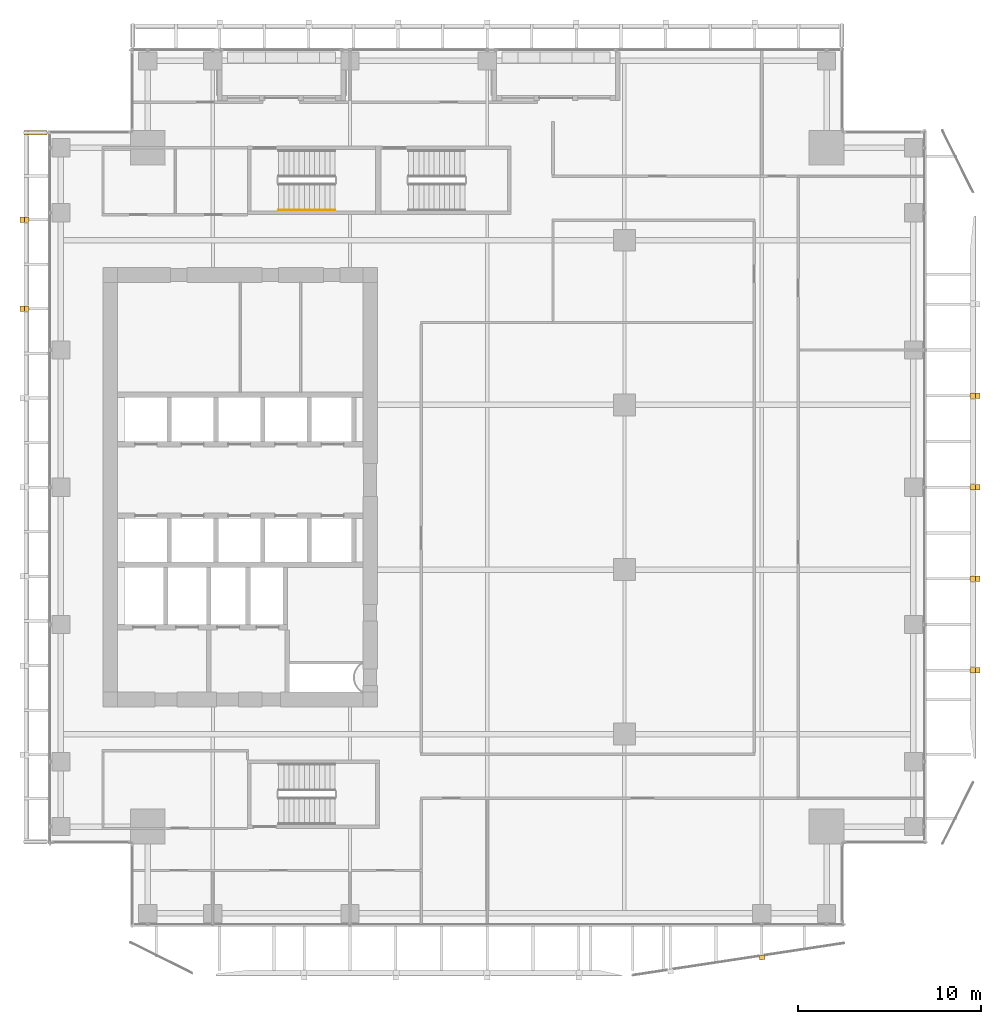
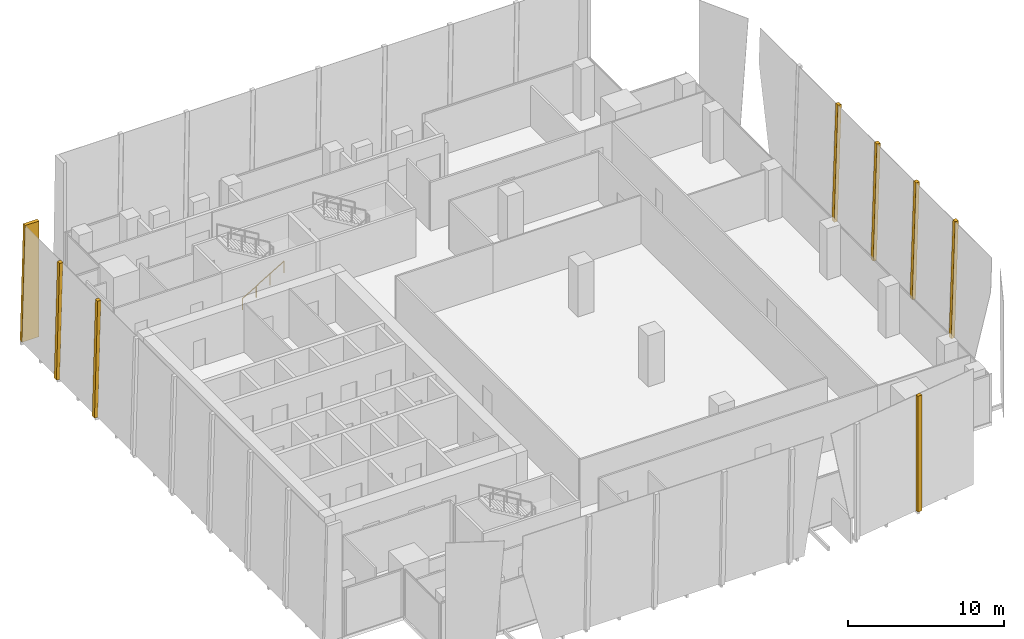
# One storey, part 33 of 35: 8 coverings, 1 railing.
"""IFC4 building model written with IfcOpenShell, lengths in metres."""

from ifc_helpers import new_model, si_unit, direction, frame, origin, origin_2d, place, context, subcontext, project, spatial, polyline, circle, outline, extrude, source, transform, mapped, material, layer, layer_set, type_object, element, save


model = new_model("IFC4")

# Units and contexts
model_context = context("Model", 3, precision=1e-05, world=origin(), true_north=direction((0.0, 1.0)))
body_context = subcontext(model_context, "Body", "Model", "MODEL_VIEW")
ifc_project = project(units=[si_unit("LENGTHUNIT", "METRE"), si_unit("AREAUNIT", "SQUARE_METRE"), si_unit("VOLUMEUNIT", "CUBIC_METRE"), si_unit("PLANEANGLEUNIT", "RADIAN"), si_unit("MASSUNIT", "GRAM", prefix="KILO")], contexts=[model_context])

# Site, building, storey
site_placement = place(None, origin())
site = spatial("IfcSite", under=ifc_project, at=site_placement, CompositionType="ELEMENT")
building_placement = place(site_placement, origin())
building = spatial("IfcBuilding", under=site, at=building_placement, Name="Khomas Fold Tower", CompositionType="ELEMENT")
storey_placement = place(building_placement, frame((0.0, 0.0, 212.699951171875)))
storey = spatial("IfcBuildingStorey", under=building, at=storey_placement, Name="L47", CompositionType="ELEMENT", Elevation=212.699951171875)

# Coverings
ifc_material_1 = material(Name="Natural stone cladding", Category="masonry")
ifc_layer = layer(ifc_material_1, 0.25)
ifc_layer_set = layer_set([ifc_layer], Name="Natural stone cladding")
covering_type = type_object("IfcCoveringType", Name="SK-Karibib marble stone mullion", PredefinedType="CLADDING", material=ifc_layer_set)
covering_1_placement = place(storey_placement, frame((41.85009765625, 1.39306640625, 0.0), z_axis=(-0.150544626295, 0.988603214386, 0.0), x_axis=(0.0, 0.0, 1.0)))
element("IfcCovering", 1, at=covering_1_placement, inside=storey, type_object=covering_type, Name="OUTER SKIN mullion L47 SM106-14", PredefinedType="CLADDING", context=body_context, shape_type="SweptSolid", body=[
    extrude(outline(polyline([(0.0, 0.0), (9.050048828125, 0.0), (9.050048828125, 0.30326088681220215), (0.0, 0.30326088681220215), (0.0, 0.0)])), origin(), (0.0, 0.0, -1.0), 0.25),
])
for number, where, z_axis, x_axis, name in (
    (2, (53.402587890625, 16.85009765625, 0.0), (-0.999510733566, 0.0, 0.031277683534), (0.031277683534, 0.0, 0.999510733566), "OUTER SKIN mullion L47 EM101-3"),
    (3, (53.402587890625, 21.85009765625, 0.0), (-0.999510733566, 0.0, 0.031277683534), (0.031277683534, 0.0, 0.999510733566), "OUTER SKIN mullion L47 EM102-5"),
    (4, (53.402587890625, 26.85009765625, 0.0), (-0.999510733566, 0.0, 0.031277683534), (0.031277683534, 0.0, 0.999510733566), "OUTER SKIN mullion L47 EM103-7"),
    (5, (53.402587890625, 31.85009765625, 0.0), (-0.999510733566, 0.0, 0.031277683534), (0.031277683534, 0.0, 0.999510733566), "OUTER SKIN mullion L47 EM104-9"),
):
    element("IfcCovering", number, at=place(storey_placement, frame(where, z_axis=z_axis, x_axis=x_axis)), inside=storey, type_object=covering_type, Name=name, PredefinedType="CLADDING", context=body_context, shape_type="SweptSolid", body=[
        extrude(outline(polyline([(0.0, 0.0), (9.05447888072287, 0.0), (9.05447888072287, 0.2998046875), (0.0, 0.2998046875), (0.0, 0.0)])), origin(), (0.0, 0.0, -1.0), 0.25),
    ])
for number, where, z_axis, x_axis, name in (
    (6, (1.4619140625, 36.60009765625, 0.006591796875), (-0.999657103303, 0.0, 0.026185412267), (0.0, 1.0, 0.0), "OUTER SKIN mullion L47 W12"),
    (7, (1.4619140625, 41.47509765625, 0.006591796875), (-0.999657103303, 0.0, 0.026185412267), (0.0, 1.0, 0.0), "OUTER SKIN mullion L47 W14"),
):
    element("IfcCovering", number, at=place(storey_placement, frame(where, z_axis=z_axis, x_axis=x_axis)), inside=storey, type_object=covering_type, Name=name, PredefinedType="CLADDING", context=body_context, shape_type="SweptSolid", body=[
        extrude(outline(polyline([(0.0, 0.0), (0.2998046875, 0.0), (0.2998046875, -9.053153124427498), (0.0, -9.053153124427498), (0.0, 0.0)])), origin(), (0.0, 0.0, -1.0), 0.25),
    ])
covering_2_placement = place(storey_placement, frame((2.949951171875, 46.5, 0.0), z_axis=(0.0, 1.0, 0.0), x_axis=(-1.0, 0.0, 0.0)))
element("IfcCovering", 8, at=covering_2_placement, inside=storey, type_object=covering_type, Name="OUTER SKIN return L47 W2", PredefinedType="CLADDING", context=body_context, shape_type="SweptSolid", body=[
    extrude(outline(polyline([(0.0, 0.0), (1.278076171875, 0.0), (1.041015625, 9.050048828125), (0.0, 9.050048828125), (0.0, 0.0)])), origin(), (0.0, 0.0, -1.0), 0.25),
])

# Railing
ifc_material_2 = material(Name="Steel handrail", Category="steel")
railing_type = type_object("IfcRailingType", Name="Stair handrail", PredefinedType="HANDRAIL", material=ifc_material_2)
shared_shape = source(origin(), body_context, "Body", "SweptSolid", [
    extrude(circle(Radius=0.02392578125, at=origin_2d()), frame((0.0, 0.0, 0.8759765625), z_axis=(0.859290745958, 0.0, 0.51148745235), x_axis=(0.0, 1.0, 0.0)), (0.0, 0.0, 1.0), 3.584228515625),
    extrude(circle(Radius=0.02099609375, at=origin_2d()), origin(), (0.0, 0.0, 1.0), 0.851806640625),
    extrude(circle(Radius=0.02099609375, at=origin_2d()), frame((1.026611328125, 0.0, 0.611083984375)), (0.0, 0.0, 1.0), 0.851806640625),
    extrude(circle(Radius=0.02099609375, at=origin_2d()), frame((2.05322265625, 0.0, 1.22216796875)), (0.0, 0.0, 1.0), 0.851806640625),
    extrude(circle(Radius=0.02099609375, at=origin_2d()), frame((3.079833984375, 0.0, 1.833251953125)), (0.0, 0.0, 1.0), 0.851806640625),
])
railing_placement = place(storey_placement, frame((15.60009765625, 42.14990234375, 0.166748046875)))
element("IfcRailing", 9, at=railing_placement, inside=storey, type_object=railing_type, Name="L47 ST1 stair handrail 1", PredefinedType="HANDRAIL", context=body_context, shape_type="MappedRepresentation", body=[
    mapped(shared_shape, transform((0.0, 0.0, 0.0))),
])

save(model, "model.ifc")
